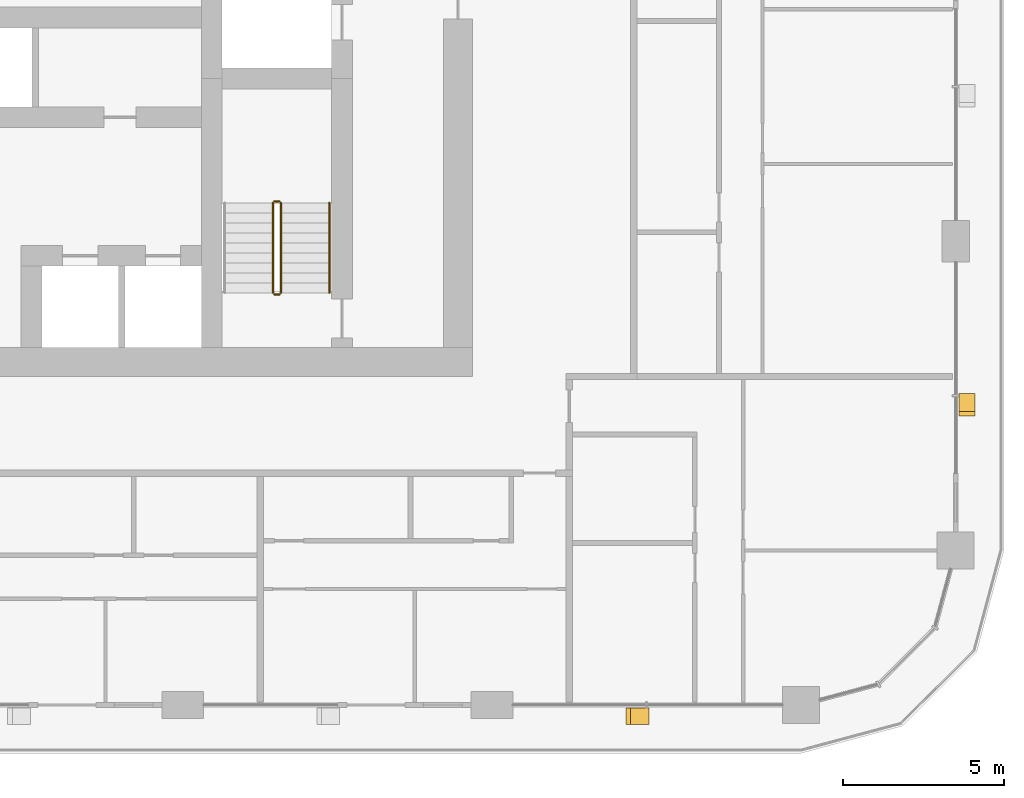
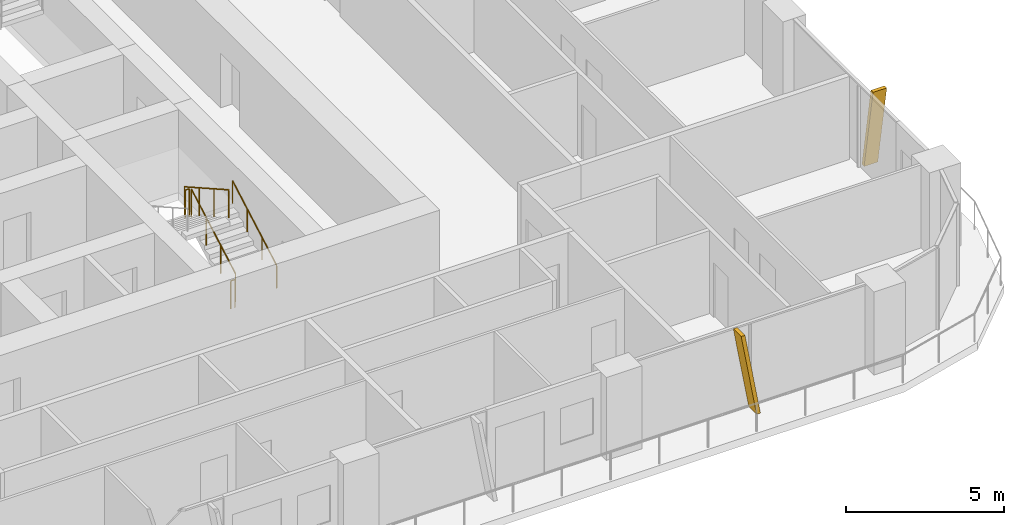
# One storey, part 18 of 21: 5 railings, 2 shading devices.
"""IFC4 building model written with IfcOpenShell, lengths in metres."""

from ifc_helpers import new_model, si_unit, direction, frame, origin, origin_2d, place, context, subcontext, project, spatial, polyline, circle, outline, extrude, material, type_object, element, save


model = new_model("IFC4")

# Units and contexts
model_context = context("Model", 3, precision=1e-05, world=origin(), true_north=direction((0.0, 1.0)))
body_context = subcontext(model_context, "Body", "Model", "MODEL_VIEW")
ifc_project = project(units=[si_unit("LENGTHUNIT", "METRE"), si_unit("AREAUNIT", "SQUARE_METRE"), si_unit("VOLUMEUNIT", "CUBIC_METRE"), si_unit("PLANEANGLEUNIT", "RADIAN"), si_unit("MASSUNIT", "GRAM", prefix="KILO")], contexts=[model_context])

# Site, building, storey
site_placement = place(None, origin())
site = spatial("IfcSite", under=ifc_project, at=site_placement, CompositionType="ELEMENT")
building_placement = place(site_placement, origin())
building = spatial("IfcBuilding", under=site, at=building_placement, Name="Madar Terraces", CompositionType="ELEMENT")
storey_placement = place(building_placement, frame((0.0, 0.0, 106.699951171875)))
storey = spatial("IfcBuildingStorey", under=building, at=storey_placement, Name="L27", CompositionType="ELEMENT", Elevation=106.699951171875)

# Shading devices
ifc_material_1 = material(Name="Aluminium, black anodised", Category="aluminium")
shading_device_type = type_object("IfcShadingDeviceType", Name="Facade fin blade 140 x 500", PredefinedType="USERDEFINED", material=ifc_material_1)
shading_device_1_placement = place(storey_placement, frame((52.72998046875, 4.449951171875, 0.0), z_axis=(0.0, 0.0, 1.0), x_axis=(1.0, 0.0, 0.0)))
element("IfcShadingDevice", 1, at=shading_device_1_placement, inside=storey, type_object=shading_device_type, Name="FIN L27 S5", ObjectType="FIN", PredefinedType="USERDEFINED", context=body_context, shape_type="SweptSolid", body=[
    extrude(outline(polyline([(0.0, 0.0), (0.14013671875, 0.0), (-0.42431640625, 3.199951171875), (-0.564208984375, 3.199951171875), (0.0, 0.0)])), frame((0.0, 0.25, 0.0), z_axis=(0.0, -1.0, 0.0), x_axis=(1.0, 0.0, 0.0)), (0.0, 0.0, 1.0), 0.5),
])
shading_device_2_placement = place(storey_placement, frame((62.75, 14.330078125, 0.0), z_axis=(0.0, 0.0, 1.0), x_axis=(0.0, 1.0, 0.0)))
element("IfcShadingDevice", 2, at=shading_device_2_placement, inside=storey, type_object=shading_device_type, Name="FIN L27 E1", ObjectType="FIN", PredefinedType="USERDEFINED", context=body_context, shape_type="SweptSolid", body=[
    extrude(outline(polyline([(0.0, 0.0), (0.139892578125, 0.0), (-0.42431640625, 3.199951171875), (-0.564208984375, 3.199951171875), (0.0, 0.0)])), frame((0.0, 0.25, 0.0), z_axis=(0.0, -1.0, 0.0), x_axis=(1.0, 0.0, 0.0)), (0.0, 0.0, 1.0), 0.5),
])

# Railings
ifc_material_2 = material(Name="Stainless steel railing", Category="steel")
railing_type_1 = type_object("IfcRailingType", Name="Stair guard 1100", PredefinedType="GUARDRAIL", material=ifc_material_2)
railing_1_placement = place(storey_placement, frame((41.449951171875, 17.60009765625, 0.175048828125)))
element("IfcRailing", 3, at=railing_1_placement, inside=storey, type_object=railing_type_1, Name="L27 ST3 stair guard 1", PredefinedType="GUARDRAIL", context=body_context, shape_type="SweptSolid", body=[
    extrude(circle(Radius=0.02392578125, at=origin_2d()), frame((0.0, 0.0, 1.076171875), z_axis=(0.0, 0.870815363784, 0.491610213684), x_axis=(-1.0, 0.0, 0.0)), (0.0, 0.0, 1.0), 3.20361328125),
    extrude(circle(Radius=0.02099609375, at=origin_2d()), origin(), (0.0, 0.0, 1.0), 1.052001953125),
    extrude(circle(Radius=0.02099609375, at=origin_2d()), frame((0.0, 0.929931640625, 0.52490234375)), (0.0, 0.0, 1.0), 1.052001953125),
    extrude(circle(Radius=0.02099609375, at=origin_2d()), frame((0.0, 1.85986328125, 1.050048828125)), (0.0, 0.0, 1.0), 1.052001953125),
    extrude(circle(Radius=0.02099609375, at=origin_2d()), frame((0.0, 2.789794921875, 1.574951171875)), (0.0, 0.0, 1.0), 1.052001953125),
])
railing_2_placement = place(storey_placement, frame((41.39990234375, 20.43994140625, 1.75)))
element("IfcRailing", 4, at=railing_2_placement, inside=storey, type_object=railing_type_1, Name="L27 ST3 stair guard 2", PredefinedType="GUARDRAIL", context=body_context, shape_type="SweptSolid", body=[
    extrude(circle(Radius=0.02392578125, at=origin_2d()), frame((0.0, 0.0, 1.076171875), z_axis=(-1.0, 0.0, 0.0), x_axis=(0.0, -1.0, 0.0)), (0.0, 0.0, 1.0), 0.14990234375),
    extrude(circle(Radius=0.02099609375, at=origin_2d()), origin(), (0.0, 0.0, 1.0), 1.052001953125),
    extrude(circle(Radius=0.02099609375, at=origin_2d()), frame((-0.14990234375, 0.0, 0.0)), (0.0, 0.0, 1.0), 1.052001953125),
])
railing_3_placement = place(storey_placement, frame((41.199951171875, 20.389892578125, 1.925048828125)))
element("IfcRailing", 5, at=railing_3_placement, inside=storey, type_object=railing_type_1, Name="L27 ST3 stair guard 3", PredefinedType="GUARDRAIL", context=body_context, shape_type="SweptSolid", body=[
    extrude(circle(Radius=0.02392578125, at=origin_2d()), frame((0.0, 0.0, 1.076171875), z_axis=(0.0, -0.870815363784, 0.491610213684), x_axis=(1.0, 0.0, 0.0)), (0.0, 0.0, 1.0), 3.20361328125),
    extrude(circle(Radius=0.02099609375, at=origin_2d()), origin(), (0.0, 0.0, 1.0), 1.052001953125),
    extrude(circle(Radius=0.02099609375, at=origin_2d()), frame((0.0, -0.929931640625, 0.52490234375)), (0.0, 0.0, 1.0), 1.052001953125),
    extrude(circle(Radius=0.02099609375, at=origin_2d()), frame((0.0, -1.85986328125, 1.050048828125)), (0.0, 0.0, 1.0), 1.052001953125),
    extrude(circle(Radius=0.02099609375, at=origin_2d()), frame((0.0, -2.789794921875, 1.574951171875)), (0.0, 0.0, 1.0), 1.052001953125),
])
railing_4_placement = place(storey_placement, frame((41.39990234375, 17.550048828125, 0.0)))
element("IfcRailing", 6, at=railing_4_placement, inside=storey, type_object=railing_type_1, Name="L27 ST3 stair guard 4", PredefinedType="GUARDRAIL", context=body_context, shape_type="SweptSolid", body=[
    extrude(circle(Radius=0.02392578125, at=origin_2d()), frame((0.0, 0.0, 1.076171875), z_axis=(-1.0, 0.0, 0.0), x_axis=(0.0, -1.0, 0.0)), (0.0, 0.0, 1.0), 0.14990234375),
    extrude(circle(Radius=0.02099609375, at=origin_2d()), origin(), (0.0, 0.0, 1.0), 1.052001953125),
    extrude(circle(Radius=0.02099609375, at=origin_2d()), frame((-0.14990234375, 0.0, 0.0)), (0.0, 0.0, 1.0), 1.052001953125),
])
ifc_material_3 = material(Name="Stainless steel railing", Category="steel")
railing_type_2 = type_object("IfcRailingType", Name="Stair handrail 900", PredefinedType="HANDRAIL", material=ifc_material_3)
railing_5_placement = place(storey_placement, frame((42.949951171875, 17.60009765625, 0.175048828125)))
element("IfcRailing", 7, at=railing_5_placement, inside=storey, type_object=railing_type_2, Name="L27 ST3 stair handrail 1", PredefinedType="HANDRAIL", context=body_context, shape_type="SweptSolid", body=[
    extrude(circle(Radius=0.02392578125, at=origin_2d()), frame((0.0, 0.0, 0.8759765625), z_axis=(0.0, 0.870815363784, 0.491610213684), x_axis=(-1.0, 0.0, 0.0)), (0.0, 0.0, 1.0), 3.20361328125),
    extrude(circle(Radius=0.02099609375, at=origin_2d()), origin(), (0.0, 0.0, 1.0), 0.851806640625),
    extrude(circle(Radius=0.02099609375, at=origin_2d()), frame((0.0, 0.929931640625, 0.52490234375)), (0.0, 0.0, 1.0), 0.851806640625),
    extrude(circle(Radius=0.02099609375, at=origin_2d()), frame((0.0, 1.85986328125, 1.050048828125)), (0.0, 0.0, 1.0), 0.851806640625),
    extrude(circle(Radius=0.02099609375, at=origin_2d()), frame((0.0, 2.789794921875, 1.574951171875)), (0.0, 0.0, 1.0), 0.851806640625),
])

save(model, "model.ifc")
